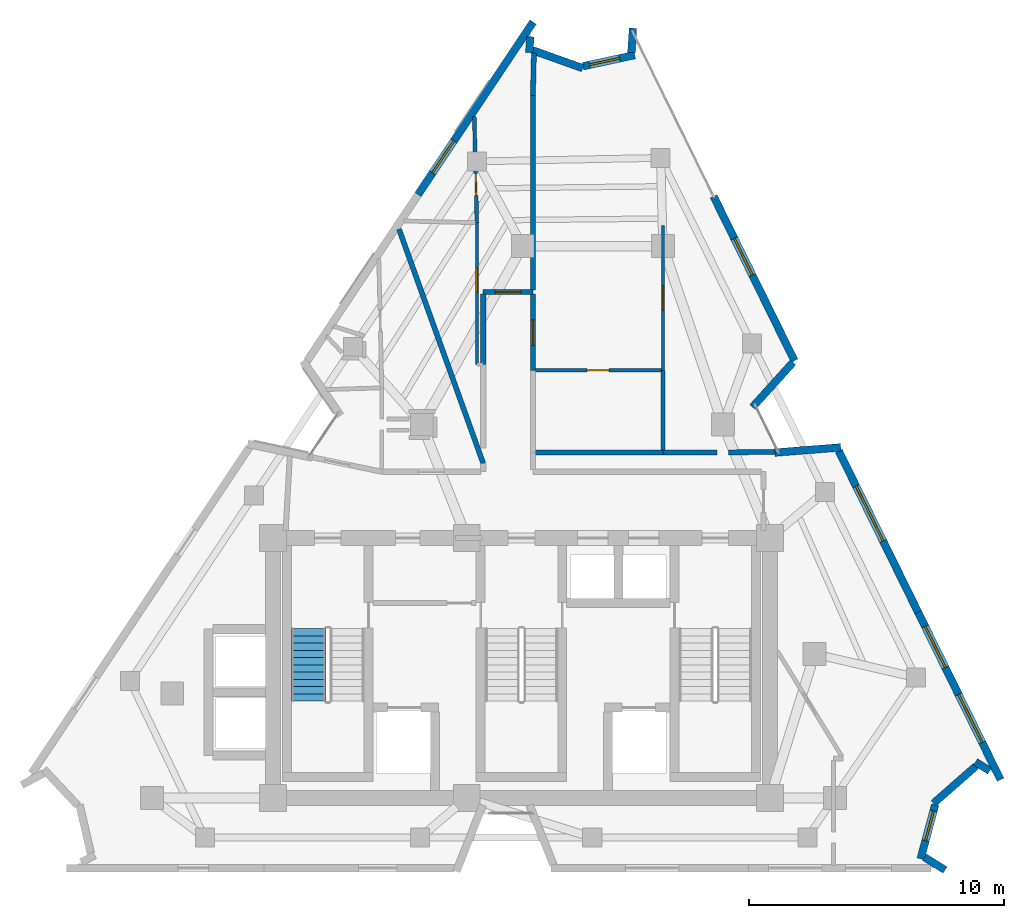
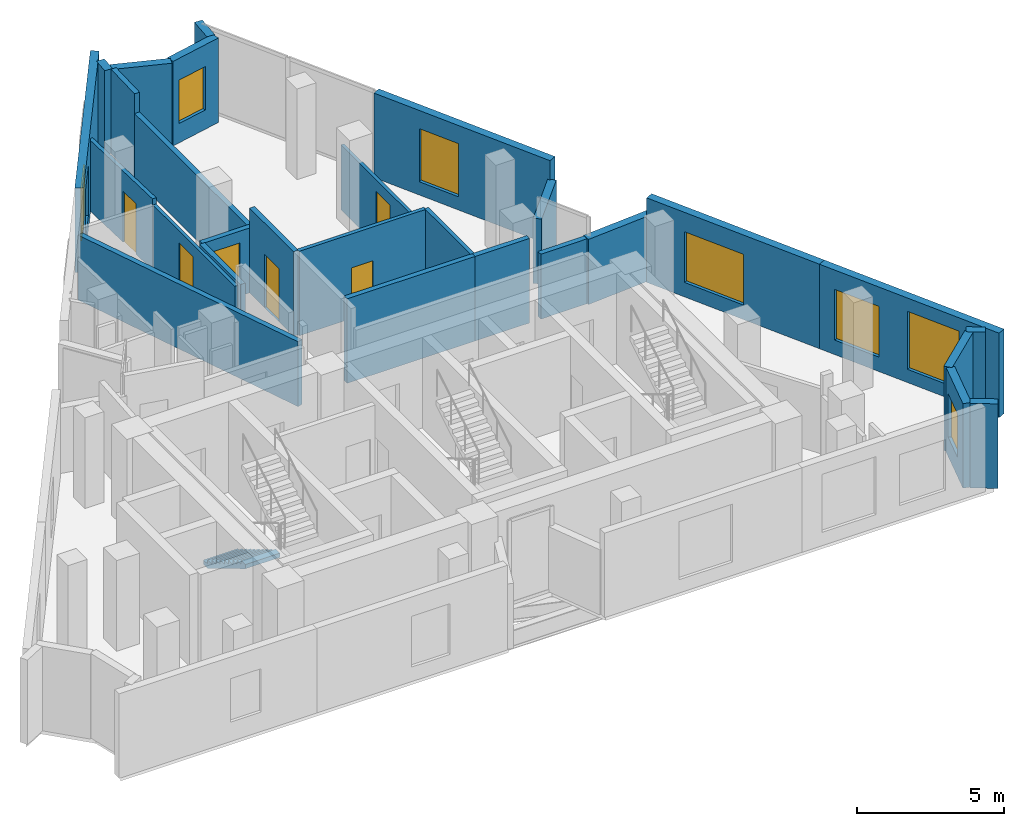
# One storey, part 8 of 10: 28 walls, 7 windows, 6 doors, 1 stair flight, 13 openings, 1 element without a shape of its own.
"""IFC4 building model written with IfcOpenShell, lengths in metres."""

import ifcopenshell
import ifcopenshell.guid

model = None  # the IFC model being written
_history = None  # IfcOwnerHistory: only IFC2X3 demands one
_inside = {}  # id of a spatial element -> (the spatial element, [elements in it])
_under = {}  # id of a project, library or spatial element -> (it, [spatial elements below it])
_declared = {}  # id of a project -> (the project, [libraries it declares])
_typed = {}  # id of a type object -> (the type object, [elements of that type])
_made_of = {}  # id of a material, layer set ... -> (it, [elements and type objects made of it])


def new_model(schema):
    """Start an empty IFC model of exactly this schema.

    Asked for "IFC4X3", IfcOpenShell would pick the latest addendum, in which some entities
    have other attributes; the version numbers below select the first issue.
    IFC2X3 requires an IfcOwnerHistory on every rooted entity: one is made here for all.
    """
    global model, _history
    if schema == "IFC4X3":
        model = ifcopenshell.file(schema_version=(4, 3, 0, 0))
    else:
        model = ifcopenshell.file(schema=schema)
    _inside.clear()
    _under.clear()
    _declared.clear()
    _typed.clear()
    _made_of.clear()
    _history = None
    if model.schema == "IFC2X3":
        org = make("IfcOrganization", Name="unknown")
        user = make(
            "IfcPersonAndOrganization",
            ThePerson=make("IfcPerson", FamilyName="unknown"),
            TheOrganization=org,
        )
        app = make(
            "IfcApplication",
            ApplicationDeveloper=org,
            Version="unknown",
            ApplicationFullName="unknown",
            ApplicationIdentifier="unknown",
        )
        _history = make(
            "IfcOwnerHistory",
            OwningUser=user,
            OwningApplication=app,
            ChangeAction="ADDED",
            CreationDate=0,
        )
    return model


def make(cls, **values):
    """One entity of the class cls with the attributes given. An attribute that is None is left unset."""
    return model.create_entity(
        cls, **{name: value for name, value in values.items() if value is not None}
    )


def rooted(cls, **values):
    """An entity with a GlobalId (a new one), such as an element, a storey or a relation."""
    return make(cls, GlobalId=ifcopenshell.guid.new(), OwnerHistory=_history, **values)


def si_unit(unit_type, name, prefix=None):
    """IfcSIUnit, for example si_unit("LENGTHUNIT", "METRE", prefix="MILLI")."""
    return make("IfcSIUnit", UnitType=unit_type, Prefix=prefix, Name=name)


def assignment(units):
    """IfcUnitAssignment: the units of a project."""
    return None if units is None else make("IfcUnitAssignment", Units=units)


def point(xyz):
    """IfcCartesianPoint."""
    return None if xyz is None else make("IfcCartesianPoint", Coordinates=xyz)


def direction(xyz):
    """IfcDirection."""
    return None if xyz is None else make("IfcDirection", DirectionRatios=xyz)


def frame(location, z_axis=None, x_axis=None):
    """IfcAxis2Placement3D, a coordinate frame: its origin and axes. An axis left out is left unset."""
    return make(
        "IfcAxis2Placement3D",
        Location=point(location),
        Axis=direction(z_axis),
        RefDirection=direction(x_axis),
    )


def frame_2d(location, x_axis=None):
    """IfcAxis2Placement2D, a coordinate frame in the plane: its origin and x axis."""
    return make(
        "IfcAxis2Placement2D", Location=point(location), RefDirection=direction(x_axis)
    )


def origin():
    """The frame at (0, 0, 0) with its axes left unset."""
    return frame((0.0, 0.0, 0.0))


def place(relative_to, where):
    """IfcLocalPlacement: puts the frame where relative to a parent placement (None: the world)."""
    return make(
        "IfcLocalPlacement", PlacementRelTo=relative_to, RelativePlacement=where
    )


def context(
    kind, dimensions, precision=None, world=None, true_north=None, identifier=None
):
    """IfcGeometricRepresentationContext, for example the 3D "Model" context."""
    return make(
        "IfcGeometricRepresentationContext",
        ContextIdentifier=identifier,
        ContextType=kind,
        CoordinateSpaceDimension=dimensions,
        Precision=precision,
        WorldCoordinateSystem=world,
        TrueNorth=true_north,
    )


def subcontext(parent, identifier, kind, view, scale=None):
    """IfcGeometricRepresentationSubContext, for example "Body" below "Model"."""
    return make(
        "IfcGeometricRepresentationSubContext",
        ContextIdentifier=identifier,
        ContextType=kind,
        ParentContext=parent,
        TargetScale=scale,
        TargetView=view,
    )


def project(units=None, contexts=None):
    """IfcProject with its units and contexts."""
    return rooted(
        "IfcProject",
        Name="project",
        RepresentationContexts=contexts,
        UnitsInContext=assignment(units),
    )


def spatial(cls, under=None, at=None, **own):
    """A site, building, storey or space (cls), placed at a placement, below another one or the project."""
    s = rooted(cls, ObjectPlacement=at, **own)
    if under is not None:
        _under.setdefault(under.id(), (under, []))[1].append(s)
    return s


def polyline(points):
    """IfcPolyline through the points."""
    return make("IfcPolyline", Points=[point(p) for p in points])


def profile(cls, at=None, kind="AREA", **sizes):
    """A parametric profile (cls). Its sizes go by their IFC names, for example OverallWidth=200.0."""
    return make(cls, ProfileType=kind, Position=at, **sizes)


def rectangle(**sizes):
    """IfcRectangleProfileDef."""
    return profile("IfcRectangleProfileDef", **sizes)


def outline(outer, holes=None, kind="AREA"):
    """IfcArbitraryClosedProfileDef: a profile drawn as a closed curve; with holes, ...WithVoids."""
    if holes is None:
        return make("IfcArbitraryClosedProfileDef", ProfileType=kind, OuterCurve=outer)
    return make(
        "IfcArbitraryProfileDefWithVoids",
        ProfileType=kind,
        OuterCurve=outer,
        InnerCurves=holes,
    )


def extrude(swept, where, along, depth):
    """IfcExtrudedAreaSolid: the profile swept, set in the frame where, extruded along a direction by depth."""
    return make(
        "IfcExtrudedAreaSolid",
        SweptArea=swept,
        Position=where,
        ExtrudedDirection=direction(along),
        Depth=depth,
    )


def shape(context_of_items, identifier, shape_type, items):
    """IfcShapeRepresentation: the items that make up one representation, for example the "Body"."""
    return make(
        "IfcShapeRepresentation",
        ContextOfItems=context_of_items,
        RepresentationIdentifier=identifier,
        RepresentationType=shape_type,
        Items=items,
    )


def material(Name=None, Category=None):
    """IfcMaterial."""
    return make("IfcMaterial", Name=Name, Category=Category)


def layer(
    of_material, thickness, ventilated=None, Name=None, Category=None, Priority=None
):
    """IfcMaterialLayer: one layer of a wall or slab, of a material (None: an air gap)."""
    return make(
        "IfcMaterialLayer",
        Material=of_material,
        LayerThickness=thickness,
        IsVentilated=ventilated,
        Name=Name,
        Category=Category,
        Priority=Priority,
    )


def layer_set(layers, Name=None):
    """IfcMaterialLayerSet."""
    return make("IfcMaterialLayerSet", MaterialLayers=layers, LayerSetName=Name)


def made_of(thing, what):
    """Note that an element or type object is made of a material, layer set ...; save() writes the relation."""
    if what is not None:
        _made_of.setdefault(what.id(), (what, []))[1].append(thing)
    return thing


def type_object(cls, material=None, **own):
    """A type object (cls), such as IfcWallType, which elements share."""
    return made_of(rooted(cls, **own), material)


def element(
    cls,
    number,
    at=None,
    inside=None,
    cuts=None,
    type_object=None,
    material=None,
    context=None,
    identifier="Body",
    shape_type=None,
    held_by="IfcProductDefinitionShape",
    body=None,
    shapes=None,
    **own,
):
    """One element of the class cls, such as IfcWall. Its Tag is "e" and its number.

    at: its placement. inside: the storey or other place that contains it. cuts: it is an
    opening in that element (IfcRelVoidsElement). A single representation is given by context,
    identifier, shape_type and body (its items); several are given by shapes. held_by: the class
    of the entity that holds the representations. save() writes the other relations.
    """
    e = rooted(cls, Tag="e%d" % number, ObjectPlacement=at, **own)
    if body is not None:
        shapes = [shape(context, identifier, shape_type, body)]
    if shapes is not None:
        e.Representation = make(held_by, Representations=shapes)
    if inside is not None:
        _inside.setdefault(inside.id(), (inside, []))[1].append(e)
    if cuts is not None:
        rooted(
            "IfcRelVoidsElement", RelatingBuildingElement=cuts, RelatedOpeningElement=e
        )
    if type_object is not None:
        _typed.setdefault(type_object.id(), (type_object, []))[1].append(e)
    return made_of(e, material)


def fill(opening, filler):
    """IfcRelFillsElement: the door or window that sits in an opening."""
    return rooted(
        "IfcRelFillsElement",
        RelatingOpeningElement=opening,
        RelatedBuildingElement=filler,
    )


def aggregate(whole, parts):
    """IfcRelAggregates: a whole, such as a stair, and the parts it consists of."""
    return rooted("IfcRelAggregates", RelatingObject=whole, RelatedObjects=parts)


def save(model, path):
    """Write the relations noted so far, then the file.

    IfcRelAggregates (storeys below a building ...), IfcRelContainedInSpatialStructure (elements
    in a storey), IfcRelDefinesByType, IfcRelAssociatesMaterial and IfcRelDeclares: one each for
    every whole, place, type object, material and project.
    """
    for whole, parts in _under.values():
        aggregate(whole, parts)
    for where, things in _inside.values():
        rooted(
            "IfcRelContainedInSpatialStructure",
            RelatedElements=things,
            RelatingStructure=where,
        )
    for kind, things in _typed.values():
        rooted("IfcRelDefinesByType", RelatedObjects=things, RelatingType=kind)
    for what, things in _made_of.values():
        rooted("IfcRelAssociatesMaterial", RelatedObjects=things, RelatingMaterial=what)
    for by, libraries in _declared.values():
        rooted("IfcRelDeclares", RelatingContext=by, RelatedDefinitions=libraries)
    model.write(path)


model = new_model("IFC4")

# Units and contexts
model_context = context("Model", 3, precision=1e-05, world=origin(), true_north=direction((0.0, 1.0)))
body_context = subcontext(model_context, "Body", "Model", "MODEL_VIEW")
ifc_project = project(units=[si_unit("LENGTHUNIT", "METRE"), si_unit("AREAUNIT", "SQUARE_METRE"), si_unit("VOLUMEUNIT", "CUBIC_METRE"), si_unit("PLANEANGLEUNIT", "RADIAN"), si_unit("MASSUNIT", "GRAM", prefix="KILO")], contexts=[model_context])

# Site, building, storey
site_placement = place(None, origin())
site = spatial("IfcSite", under=ifc_project, at=site_placement, CompositionType="ELEMENT")
building_placement = place(site_placement, origin())
building = spatial("IfcBuilding", under=site, at=building_placement, Name="Almagre Mirador Tower", CompositionType="ELEMENT")
storey_placement = place(building_placement, frame((0.0, 0.0, 278.25)))
storey = spatial("IfcBuildingStorey", under=building, at=storey_placement, Name="L72", CompositionType="ELEMENT", Elevation=278.25)

# Wall, opening, window
ifc_material_1 = material(Name="Precast concrete C50/60", Category="concrete")
ifc_layer_1 = layer(ifc_material_1, 0.300048828125)
ifc_layer_set_1 = layer_set([ifc_layer_1], Name="Precast concrete C50/60")
wall_type_1 = type_object("IfcWallType", Name="WAL-EXT-300", PredefinedType="SOLIDWALL", material=ifc_layer_set_1)
wall_1_placement = place(storey_placement, frame((33.241943359375, 28.2265625, 0.0), z_axis=(0.0, 0.0, 1.0), x_axis=(0.555212816766, 0.831708319123, 0.0)))
wall_1 = element("IfcWall", 1, at=wall_1_placement, inside=storey, type_object=wall_type_1, Name="L72 expressed almagre precast frame wall 04", PredefinedType="SOLIDWALL", context=body_context, shape_type="SweptSolid", body=[
    extrude(rectangle(XDim=8.13134765625, YDim=0.300048828125, at=frame_2d((4.065673828125, 0.0))), origin(), (0.0, 0.0, 1.0), 3.5),
])
opening_1_placement = place(wall_1_placement, frame((1.02490234375, 0.0, 0.60009765625)))
opening_1 = element("IfcOpeningElement", 2, at=opening_1_placement, cuts=wall_1, Name="Opening WN-03", PredefinedType="OPENING", context=body_context, shape_type="SweptSolid", body=[
    extrude(rectangle(XDim=1.5, YDim=2.10009765625, at=frame_2d((0.75, 1.050048828125))), frame((0.0, 0.159902, 0.0), z_axis=(0.0, -1.0, 0.0), x_axis=(1.0, 0.0, 0.0)), (0.0, 0.0, 1.0), 0.320049),
])
ifc_material_2 = material(Name="Dark solar-control laminated hurricane glass", Category="glass")
window_type_1 = type_object("IfcWindowType", Name="WIN-1500X2100", PartitioningType="DOUBLE_PANEL_VERTICAL", PredefinedType="WINDOW", material=ifc_material_2)
window_1_placement = place(opening_1_placement, origin())
window_1 = element("IfcWindow", 3, at=window_1_placement, inside=storey, type_object=window_type_1, Name="L72 recessed hurricane window L72-UG-BT", OverallHeight=2.10009765625, OverallWidth=1.5, PartitioningType="SINGLE_PANEL", PredefinedType="WINDOW", context=body_context, shape_type="SweptSolid", body=[
    extrude(rectangle(XDim=1.5, YDim=2.10009765625, at=frame_2d((0.75, 1.050048828125))), frame((0.0, 0.030029296875, 0.0), z_axis=(0.0, -1.0, 0.0), x_axis=(1.0, 0.0, 0.0)), (0.0, 0.0, 1.0), 0.06005859375),
])
fill(opening_1, window_1)

# Walls
wall_2_placement = place(storey_placement, frame((37.649169921875, 34.4189453125, 0.0), z_axis=(0.0, 0.0, 1.0), x_axis=(-0.065490172125, -0.997853214333, 0.0)))
element("IfcWall", 4, at=wall_2_placement, inside=storey, type_object=wall_type_1, Name="L72 expressed almagre precast frame wall 05", PredefinedType="SOLIDWALL", context=body_context, shape_type="SweptSolid", body=[
    extrude(rectangle(XDim=0.630126953125, YDim=0.300048828125, at=frame_2d((0.31494140625, 0.0))), origin(), (0.0, 0.0, 1.0), 3.5),
])
wall_3_placement = place(storey_placement, frame((37.739501953125, 33.88623046875, 0.0), z_axis=(0.0, 0.0, 1.0), x_axis=(0.941667785429, -0.336543878097, 0.0)))
element("IfcWall", 5, at=wall_3_placement, inside=storey, type_object=wall_type_1, Name="L72 expressed almagre precast frame wall 06", PredefinedType="SOLIDWALL", context=body_context, shape_type="SweptSolid", body=[
    extrude(rectangle(XDim=2.087158203125, YDim=0.300048828125, at=frame_2d((1.04345703125, 0.0))), origin(), (0.0, 0.0, 1.0), 3.5),
])

# Wall, opening, window
wall_4_placement = place(storey_placement, frame((39.714599609375, 33.261474609375, 0.0), z_axis=(0.0, 0.0, 1.0), x_axis=(0.977601927603, 0.210462517201, 0.0)))
wall_4 = element("IfcWall", 6, at=wall_4_placement, inside=storey, type_object=wall_type_1, Name="L72 expressed almagre precast frame wall 07", PredefinedType="SOLIDWALL", context=body_context, shape_type="SweptSolid", body=[
    extrude(rectangle(XDim=2.07177734375, YDim=0.300048828125, at=frame_2d((1.035888671875, 0.0))), origin(), (0.0, 0.0, 1.0), 3.5),
])
opening_2_placement = place(wall_4_placement, frame((0.264892578125, 0.0, 0.800048828125)))
opening_2 = element("IfcOpeningElement", 7, at=opening_2_placement, cuts=wall_4, Name="Opening WN-04", PredefinedType="OPENING", context=body_context, shape_type="SweptSolid", body=[
    extrude(rectangle(XDim=1.199951171875, YDim=1.800048828125, at=frame_2d((0.60009765625, 0.89990234375))), frame((0.0, 0.159902, 0.0), z_axis=(0.0, -1.0, 0.0), x_axis=(1.0, 0.0, 0.0)), (0.0, 0.0, 1.0), 0.320049),
])
ifc_material_3 = material(Name="Dark solar-control laminated hurricane glass", Category="glass")
window_type_2 = type_object("IfcWindowType", Name="WIN-1200X1800", PartitioningType="SINGLE_PANEL", PredefinedType="WINDOW", material=ifc_material_3)
window_2_placement = place(opening_2_placement, origin())
window_2 = element("IfcWindow", 8, at=window_2_placement, inside=storey, type_object=window_type_2, Name="L72 recessed hurricane window L72-RST-J", OverallHeight=1.800048828125, OverallWidth=1.199951171875, PartitioningType="SINGLE_PANEL", PredefinedType="WINDOW", context=body_context, shape_type="SweptSolid", body=[
    extrude(rectangle(XDim=1.199951171875, YDim=1.800048828125, at=frame_2d((0.60009765625, 0.89990234375))), frame((0.0, 0.030029296875, 0.0), z_axis=(0.0, -1.0, 0.0), x_axis=(1.0, 0.0, 0.0)), (0.0, 0.0, 1.0), 0.06005859375),
])
fill(opening_2, window_2)

# Wall
wall_5_placement = place(storey_placement, frame((41.611083984375, 33.792724609375, 0.0), z_axis=(0.0, 0.0, 1.0), x_axis=(0.065860770899, 0.997828822422, 0.0)))
element("IfcWall", 9, at=wall_5_placement, inside=storey, type_object=wall_type_1, Name="L72 expressed almagre precast frame wall 08", PredefinedType="SOLIDWALL", context=body_context, shape_type="SweptSolid", body=[
    extrude(rectangle(XDim=0.960205078125, YDim=0.300048828125, at=frame_2d((0.47998046875, 0.0))), origin(), (0.0, 0.0, 1.0), 3.5),
])

# Wall, opening, window
wall_6_placement = place(storey_placement, frame((44.83837890625, 28.157958984375, 0.0), z_axis=(0.0, 0.0, 1.0), x_axis=(0.44132368898, -0.897347982416, 0.0)))
wall_6 = element("IfcWall", 10, at=wall_6_placement, inside=storey, type_object=wall_type_1, Name="L72 expressed almagre precast frame wall 09", PredefinedType="SOLIDWALL", context=body_context, shape_type="SweptSolid", body=[
    extrude(rectangle(XDim=7.191162109375, YDim=0.300048828125, at=frame_2d((3.595703125, 0.0))), origin(), (0.0, 0.0, 1.0), 3.5),
])
opening_3_placement = place(wall_6_placement, frame((1.85009765625, 0.0, 0.550048828125)))
opening_3 = element("IfcOpeningElement", 11, at=opening_3_placement, cuts=wall_6, Name="Opening WN-06", PredefinedType="OPENING", context=body_context, shape_type="SweptSolid", body=[
    extrude(rectangle(XDim=1.60009765625, YDim=2.199951171875, at=frame_2d((0.800048828125, 1.10009765625))), frame((0.0, 0.159902, 0.0), z_axis=(0.0, -1.0, 0.0), x_axis=(1.0, 0.0, 0.0)), (0.0, 0.0, 1.0), 0.320049),
])
ifc_material_4 = material(Name="Dark solar-control laminated hurricane glass", Category="glass")
window_type_3 = type_object("IfcWindowType", Name="WIN-1600X2200", PartitioningType="DOUBLE_PANEL_VERTICAL", PredefinedType="WINDOW", material=ifc_material_4)
window_3_placement = place(opening_3_placement, origin())
window_3 = element("IfcWindow", 12, at=window_3_placement, inside=storey, type_object=window_type_3, Name="L72 recessed hurricane window L72-RST-J", OverallHeight=2.199951171875, OverallWidth=1.60009765625, PartitioningType="SINGLE_PANEL", PredefinedType="WINDOW", context=body_context, shape_type="SweptSolid", body=[
    extrude(rectangle(XDim=1.60009765625, YDim=2.199951171875, at=frame_2d((0.800048828125, 1.10009765625))), frame((0.0, 0.030029296875, 0.0), z_axis=(0.0, -1.0, 0.0), x_axis=(1.0, 0.0, 0.0)), (0.0, 0.0, 1.0), 0.06005859375),
])
fill(opening_3, window_3)

# Walls
wall_7_placement = place(storey_placement, frame((47.95166015625, 21.63818359375, 0.0), z_axis=(0.0, 0.0, 1.0), x_axis=(-0.670788898496, -0.741648335571, 0.0)))
element("IfcWall", 13, at=wall_7_placement, inside=storey, type_object=wall_type_1, Name="L72 expressed almagre precast frame wall 10", PredefinedType="SOLIDWALL", context=body_context, shape_type="SweptSolid", body=[
    extrude(rectangle(XDim=2.363525390625, YDim=0.300048828125, at=frame_2d((1.181640625, 0.0))), origin(), (0.0, 0.0, 1.0), 2.696044921875),
])
wall_8_placement = place(storey_placement, frame((47.242431640625, 18.10205078125, 0.0), z_axis=(0.0, 0.0, 1.0), x_axis=(0.996905336601, 0.078611385028, 0.0)))
element("IfcWall", 14, at=wall_8_placement, inside=storey, type_object=wall_type_1, Name="L72 expressed almagre precast frame wall 11", PredefinedType="SOLIDWALL", context=body_context, shape_type="SweptSolid", body=[
    extrude(rectangle(XDim=2.59326171875, YDim=0.300048828125, at=frame_2d((1.296630859375, 0.0))), origin(), (0.0, 0.0, 1.0), 2.696044921875),
])

# Wall, opening, window
wall_9_placement = place(storey_placement, frame((49.749755859375, 18.169189453125, 0.0), z_axis=(0.0, 0.0, 1.0), x_axis=(0.441331539311, -0.897344121511, 0.0)))
wall_9 = element("IfcWall", 15, at=wall_9_placement, inside=storey, type_object=wall_type_1, Name="L72 expressed almagre precast frame wall 12", PredefinedType="SOLIDWALL", context=body_context, shape_type="SweptSolid", body=[
    extrude(rectangle(XDim=7.051025390625, YDim=0.300048828125, at=frame_2d((3.525390625, 0.0))), origin(), (0.0, 0.0, 1.0), 3.5),
])
opening_4_placement = place(wall_9_placement, frame((1.544921875, 0.0, 0.60009765625)))
opening_4 = element("IfcOpeningElement", 16, at=opening_4_placement, cuts=wall_9, Name="Opening WN-02", PredefinedType="OPENING", context=body_context, shape_type="SweptSolid", body=[
    extrude(rectangle(XDim=2.39990234375, YDim=2.10009765625, at=frame_2d((1.199951171875, 1.050048828125))), frame((0.0, 0.159902, 0.0), z_axis=(0.0, -1.0, 0.0), x_axis=(1.0, 0.0, 0.0)), (0.0, 0.0, 1.0), 0.320049),
])
ifc_material_5 = material(Name="Dark solar-control laminated hurricane glass", Category="glass")
window_type_4 = type_object("IfcWindowType", Name="WIN-2400X2100", PartitioningType="TRIPLE_PANEL_VERTICAL", PredefinedType="WINDOW", material=ifc_material_5)
window_4_placement = place(opening_4_placement, origin())
window_4 = element("IfcWindow", 17, at=window_4_placement, inside=storey, type_object=window_type_4, Name="L72 recessed hurricane window L72-RST-E", OverallHeight=2.10009765625, OverallWidth=2.39990234375, PartitioningType="SINGLE_PANEL", PredefinedType="WINDOW", context=body_context, shape_type="SweptSolid", body=[
    extrude(rectangle(XDim=2.39990234375, YDim=2.10009765625, at=frame_2d((1.199951171875, 1.050048828125))), frame((0.0, 0.030029296875, 0.0), z_axis=(0.0, -1.0, 0.0), x_axis=(1.0, 0.0, 0.0)), (0.0, 0.0, 1.0), 0.06005859375),
])
fill(opening_4, window_4)

# Wall, openings, windows
wall_10_placement = place(storey_placement, frame((52.861572265625, 11.842041015625, 0.0), z_axis=(0.0, 0.0, 1.0), x_axis=(0.441289322052, -0.897364883558, 0.0)))
wall_10 = element("IfcWall", 18, at=wall_10_placement, inside=storey, type_object=wall_type_1, Name="L72 expressed almagre precast frame wall 13", PredefinedType="SOLIDWALL", context=body_context, shape_type="SweptSolid", body=[
    extrude(rectangle(XDim=7.3310546875, YDim=0.300048828125, at=frame_2d((3.66552734375, 0.0))), origin(), (0.0, 0.0, 1.0), 3.5),
])
opening_5_placement = place(wall_10_placement, frame((0.625, 0.0, 0.60009765625)))
opening_5 = element("IfcOpeningElement", 19, at=opening_5_placement, cuts=wall_10, Name="Opening WN-01", PredefinedType="OPENING", context=body_context, shape_type="SweptSolid", body=[
    extrude(rectangle(XDim=1.800048828125, YDim=2.10009765625, at=frame_2d((0.89990234375, 1.050048828125))), frame((0.0, 0.159902, 0.0), z_axis=(0.0, -1.0, 0.0), x_axis=(1.0, 0.0, 0.0)), (0.0, 0.0, 1.0), 0.320049),
])
opening_6_placement = place(wall_10_placement, frame((3.60009765625, 0.0, 0.550048828125)))
opening_6 = element("IfcOpeningElement", 20, at=opening_6_placement, cuts=wall_10, Name="Opening WN-05", PredefinedType="OPENING", context=body_context, shape_type="SweptSolid", body=[
    extrude(rectangle(XDim=2.10009765625, YDim=2.39990234375, at=frame_2d((1.050048828125, 1.199951171875))), frame((0.0, 0.159902, 0.0), z_axis=(0.0, -1.0, 0.0), x_axis=(1.0, 0.0, 0.0)), (0.0, 0.0, 1.0), 0.320049),
])
ifc_material_6 = material(Name="Dark solar-control laminated hurricane glass", Category="glass")
window_type_5 = type_object("IfcWindowType", Name="WIN-1800X2100", PartitioningType="DOUBLE_PANEL_VERTICAL", PredefinedType="WINDOW", material=ifc_material_6)
window_5_placement = place(opening_5_placement, origin())
window_5 = element("IfcWindow", 21, at=window_5_placement, inside=storey, type_object=window_type_5, Name="L72 recessed hurricane window L72-UC-ST", OverallHeight=2.10009765625, OverallWidth=1.800048828125, PartitioningType="SINGLE_PANEL", PredefinedType="WINDOW", context=body_context, shape_type="SweptSolid", body=[
    extrude(rectangle(XDim=1.800048828125, YDim=2.10009765625, at=frame_2d((0.89990234375, 1.050048828125))), frame((0.0, 0.030029296875, 0.0), z_axis=(0.0, -1.0, 0.0), x_axis=(1.0, 0.0, 0.0)), (0.0, 0.0, 1.0), 0.06005859375),
])
fill(opening_5, window_5)
ifc_material_7 = material(Name="Dark solar-control laminated hurricane glass", Category="glass")
window_type_6 = type_object("IfcWindowType", Name="WIN-2100X2400", PartitioningType="DOUBLE_PANEL_VERTICAL", PredefinedType="WINDOW", material=ifc_material_7)
window_6_placement = place(opening_6_placement, origin())
window_6 = element("IfcWindow", 22, at=window_6_placement, inside=storey, type_object=window_type_6, Name="L72 recessed hurricane window L72-UC-KT", OverallHeight=2.39990234375, OverallWidth=2.10009765625, PartitioningType="SINGLE_PANEL", PredefinedType="WINDOW", context=body_context, shape_type="SweptSolid", body=[
    extrude(rectangle(XDim=2.10009765625, YDim=2.39990234375, at=frame_2d((1.050048828125, 1.199951171875))), frame((0.0, 0.030029296875, 0.0), z_axis=(0.0, -1.0, 0.0), x_axis=(1.0, 0.0, 0.0)), (0.0, 0.0, 1.0), 0.06005859375),
])
fill(opening_6, window_6)

# Walls
wall_11_placement = place(storey_placement, frame((55.670166015625, 5.616455078125, 0.0), z_axis=(0.0, 0.0, 1.0), x_axis=(-0.848521273644, 0.529161268588, 0.0)))
element("IfcWall", 23, at=wall_11_placement, inside=storey, type_object=wall_type_1, Name="L72 expressed almagre precast frame wall 14", PredefinedType="SOLIDWALL", context=body_context, shape_type="SweptSolid", body=[
    extrude(rectangle(XDim=0.655029296875, YDim=0.300048828125, at=frame_2d((0.32763671875, 0.0))), origin(), (0.0, 0.0, 1.0), 3.5),
])
wall_12_placement = place(storey_placement, frame((55.13525390625, 5.80322265625, 0.0), z_axis=(0.0, 0.0, 1.0), x_axis=(-0.751744762281, -0.659454177622, 0.0)))
element("IfcWall", 24, at=wall_12_placement, inside=storey, type_object=wall_type_1, Name="L72 expressed almagre precast frame wall 15", PredefinedType="SOLIDWALL", context=body_context, shape_type="SweptSolid", body=[
    extrude(rectangle(XDim=2.219482421875, YDim=0.300048828125, at=frame_2d((1.10986328125, 0.0))), origin(), (0.0, 0.0, 1.0), 3.5),
])

# Wall, opening, window
wall_13_placement = place(storey_placement, frame((53.532958984375, 4.287109375, 0.0), z_axis=(0.0, 0.0, 1.0), x_axis=(-0.259818176463, -0.965657555855, 0.0)))
wall_13 = element("IfcWall", 25, at=wall_13_placement, inside=storey, type_object=wall_type_1, Name="L72 expressed almagre precast frame wall 16", PredefinedType="SOLIDWALL", context=body_context, shape_type="SweptSolid", body=[
    extrude(rectangle(XDim=2.19873046875, YDim=0.300048828125, at=frame_2d((1.099365234375, 0.0))), origin(), (0.0, 0.0, 1.0), 3.5),
])
opening_7_placement = place(wall_13_placement, frame((0.260009765625, 0.0, 0.800048828125)))
opening_7 = element("IfcOpeningElement", 26, at=opening_7_placement, cuts=wall_13, Name="Opening WN-04", PredefinedType="OPENING", context=body_context, shape_type="SweptSolid", body=[
    extrude(rectangle(XDim=1.199951171875, YDim=1.800048828125, at=frame_2d((0.60009765625, 0.89990234375))), frame((0.0, 0.159902, 0.0), z_axis=(0.0, -1.0, 0.0), x_axis=(1.0, 0.0, 0.0)), (0.0, 0.0, 1.0), 0.320049),
])
window_7_placement = place(opening_7_placement, origin())
window_7 = element("IfcWindow", 27, at=window_7_placement, inside=storey, type_object=window_type_2, Name="L72 recessed hurricane window L72-UC-BT", OverallHeight=1.800048828125, OverallWidth=1.199951171875, PartitioningType="SINGLE_PANEL", PredefinedType="WINDOW", context=body_context, shape_type="SweptSolid", body=[
    extrude(rectangle(XDim=1.199951171875, YDim=1.800048828125, at=frame_2d((0.60009765625, 0.89990234375))), frame((0.0, 0.030029296875, 0.0), z_axis=(0.0, -1.0, 0.0), x_axis=(1.0, 0.0, 0.0)), (0.0, 0.0, 1.0), 0.06005859375),
])
fill(opening_7, window_7)

# Wall
wall_14_placement = place(storey_placement, frame((53.1083984375, 2.23046875, 0.0), z_axis=(0.0, 0.0, 1.0), x_axis=(0.849031111495, -0.528342854322, 0.0)))
element("IfcWall", 28, at=wall_14_placement, inside=storey, type_object=wall_type_1, Name="L72 expressed almagre precast frame wall 17", PredefinedType="SOLIDWALL", context=body_context, shape_type="SweptSolid", body=[
    extrude(rectangle(XDim=0.95458984375, YDim=0.300048828125, at=frame_2d((0.477294921875, 0.0))), origin(), (0.0, 0.0, 1.0), 3.5),
])

# Wall, opening, door
ifc_material_8 = material(Name="Gypsum acoustic stud partition", Category="other")
ifc_layer_2 = layer(ifc_material_8, 0.125)
ifc_layer_set_2 = layer_set([ifc_layer_2], Name="Gypsum acoustic stud partition")
wall_type_2 = type_object("IfcWallType", Name="WAL-PRT-125-UTL", PredefinedType="PARTITIONING", material=ifc_layer_set_2)
wall_15_placement = place(storey_placement, frame((35.550048828125, 27.1201171875, 0.0), z_axis=(0.0, 0.0, 1.0), x_axis=(0.0, -1.0, 0.0)))
wall_15 = element("IfcWall", 29, at=wall_15_placement, inside=storey, type_object=wall_type_2, Name="L72 interior partition 043", PredefinedType="PARTITIONING", context=body_context, shape_type="SweptSolid", body=[
    extrude(rectangle(XDim=5.56005859375, YDim=0.125, at=frame_2d((2.780029296875, 0.0))), origin(), (0.0, 0.0, 1.0), 2.68505859375),
])
opening_8_placement = place(wall_15_placement, frame((1.7783203125, 0.0, 0.0)))
opening_8 = element("IfcOpeningElement", 30, at=opening_8_placement, cuts=wall_15, Name="Opening UD-01", PredefinedType="OPENING", context=body_context, shape_type="SweptSolid", body=[
    extrude(rectangle(XDim=0.949951171875, YDim=2.199951171875, at=frame_2d((0.47509765625, 1.10009765625))), frame((0.0, 0.0725, 0.0), z_axis=(0.0, -1.0, 0.0), x_axis=(1.0, 0.0, 0.0)), (0.0, 0.0, 1.0), 0.145),
])
ifc_material_9 = material(Name="Solid American walnut timber", Category="wood")
door_type_1 = type_object("IfcDoorType", Name="DOR-UNR-950X2200", OperationType="NOTDEFINED", PredefinedType="DOOR", material=ifc_material_9)
door_1_placement = place(opening_8_placement, origin())
door_1 = element("IfcDoor", 31, at=door_1_placement, inside=storey, type_object=door_type_1, Name="DR-2175 L72 interior door L72-UG-ST to L72-UG-KT", OperationType="SINGLE_SWING_RIGHT", OverallHeight=2.199951171875, OverallWidth=0.949951171875, PredefinedType="DOOR", context=body_context, shape_type="SweptSolid", body=[
    extrude(rectangle(XDim=0.949951171875, YDim=2.199951171875, at=frame_2d((0.47509765625, 1.10009765625))), frame((0.0, 0.02490234375, 0.0), z_axis=(0.0, -1.0, 0.0), x_axis=(1.0, 0.0, 0.0)), (0.0, 0.0, 1.0), 0.050048828125),
])
fill(opening_8, door_1)

wall_16_placement = place(storey_placement, frame((42.85009765625, 21.330078125, 0.0), z_axis=(0.0, 0.0, 1.0), x_axis=(0.0, 1.0, 0.0)))
wall_16 = element("IfcWall", 32, at=wall_16_placement, inside=storey, type_object=wall_type_2, Name="L72 interior partition 049", PredefinedType="PARTITIONING", context=body_context, shape_type="SweptSolid", body=[
    extrude(rectangle(XDim=5.679931640625, YDim=0.125, at=frame_2d((2.83984375, 0.0))), origin(), (0.0, 0.0, 1.0), 2.68505859375),
])
opening_9_placement = place(wall_16_placement, frame((2.364990234375, 0.0, 0.0)))
opening_9 = element("IfcOpeningElement", 33, at=opening_9_placement, cuts=wall_16, Name="Opening UD-01", PredefinedType="OPENING", context=body_context, shape_type="SweptSolid", body=[
    extrude(rectangle(XDim=0.949951171875, YDim=2.199951171875, at=frame_2d((0.47509765625, 1.10009765625))), frame((0.0, 0.0725, 0.0), z_axis=(0.0, -1.0, 0.0), x_axis=(1.0, 0.0, 0.0)), (0.0, 0.0, 1.0), 0.145),
])
door_2_placement = place(opening_9_placement, origin())
door_2 = element("IfcDoor", 34, at=door_2_placement, inside=storey, type_object=door_type_1, Name="DR-2178 L72 interior door L72-UH-ST to L72-UH-KT", OperationType="SINGLE_SWING_LEFT", OverallHeight=2.199951171875, OverallWidth=0.949951171875, PredefinedType="DOOR", context=body_context, shape_type="SweptSolid", body=[
    extrude(rectangle(XDim=0.949951171875, YDim=2.199951171875, at=frame_2d((0.47509765625, 1.10009765625))), frame((0.0, 0.02490234375, 0.0), z_axis=(0.0, -1.0, 0.0), x_axis=(1.0, 0.0, 0.0)), (0.0, 0.0, 1.0), 0.050048828125),
])
fill(opening_9, door_2)

ifc_material_10 = material(Name="Gypsum acoustic stud partition", Category="other")
ifc_layer_3 = layer(ifc_material_10, 0.14990234375)
ifc_layer_set_3 = layer_set([ifc_layer_3], Name="Gypsum acoustic stud partition")
wall_type_3 = type_object("IfcWallType", Name="WAL-PRT-150-STD", PredefinedType="PARTITIONING", material=ifc_layer_set_3)
wall_17_placement = place(storey_placement, frame((35.450927734375, 31.281005859375, 0.0), z_axis=(0.0, 0.0, 1.0), x_axis=(0.023815340496, -0.999716374557, 0.0)))
wall_17 = element("IfcWall", 35, at=wall_17_placement, inside=storey, type_object=wall_type_3, Name="L72 interior partition 045", PredefinedType="PARTITIONING", context=body_context, shape_type="SweptSolid", body=[
    extrude(rectangle(XDim=4.162109375, YDim=0.14990234375, at=frame_2d((2.0810546875, 0.0))), origin(), (0.0, 0.0, 1.0), 2.93701171875),
])
opening_10_placement = place(wall_17_placement, frame((2.238037109375, 0.0, 0.0)))
opening_10 = element("IfcOpeningElement", 36, at=opening_10_placement, cuts=wall_17, Name="Opening UD-04", PredefinedType="OPENING", context=body_context, shape_type="SweptSolid", body=[
    extrude(rectangle(XDim=0.85009765625, YDim=2.10009765625, at=frame_2d((0.425048828125, 1.050048828125))), frame((0.0, 0.084951, 0.0), z_axis=(0.0, -1.0, 0.0), x_axis=(1.0, 0.0, 0.0)), (0.0, 0.0, 1.0), 0.169902),
])
ifc_material_11 = material(Name="Moisture-resistant oak timber", Category="wood")
door_type_2 = type_object("IfcDoorType", Name="DOR-UNR-850X2100", OperationType="NOTDEFINED", PredefinedType="DOOR", material=ifc_material_11)
door_3_placement = place(opening_10_placement, origin())
door_3 = element("IfcDoor", 37, at=door_3_placement, inside=storey, type_object=door_type_2, Name="DR-2176 L72 interior door L72-UG-ST to L72-UG-BT", OperationType="SINGLE_SWING_LEFT", OverallHeight=2.10009765625, OverallWidth=0.85009765625, PredefinedType="DOOR", context=body_context, shape_type="SweptSolid", body=[
    extrude(rectangle(XDim=0.85009765625, YDim=2.10009765625, at=frame_2d((0.425048828125, 1.050048828125))), frame((0.0, 0.02490234375, 0.0), z_axis=(0.0, -1.0, 0.0), x_axis=(1.0, 0.0, 0.0)), (0.0, 0.0, 1.0), 0.050048828125),
])
fill(opening_10, door_3)

wall_18_placement = place(storey_placement, frame((37.8349609375, 21.330078125, 0.0), z_axis=(0.0, 0.0, 1.0), x_axis=(1.0, 0.0, 0.0)))
wall_18 = element("IfcWall", 38, at=wall_18_placement, inside=storey, type_object=wall_type_3, Name="L72 interior partition 050", PredefinedType="PARTITIONING", context=body_context, shape_type="SweptSolid", body=[
    extrude(rectangle(XDim=4.967529296875, YDim=0.14990234375, at=frame_2d((2.48388671875, 0.0))), origin(), (0.0, 0.0, 1.0), 3.5),
])
opening_11_placement = place(wall_18_placement, frame((2.0400390625, 0.0, 0.0)))
opening_11 = element("IfcOpeningElement", 39, at=opening_11_placement, cuts=wall_18, Name="Opening UD-04", PredefinedType="OPENING", context=body_context, shape_type="SweptSolid", body=[
    extrude(rectangle(XDim=0.85009765625, YDim=2.10009765625, at=frame_2d((0.425048828125, 1.050048828125))), frame((0.0, 0.084951, 0.0), z_axis=(0.0, -1.0, 0.0), x_axis=(1.0, 0.0, 0.0)), (0.0, 0.0, 1.0), 0.169902),
])
door_4_placement = place(opening_11_placement, origin())
door_4 = element("IfcDoor", 40, at=door_4_placement, inside=storey, type_object=door_type_2, Name="DR-2179 L72 interior door L72-UH-ST to L72-UH-BT", OperationType="SINGLE_SWING_RIGHT", OverallHeight=2.10009765625, OverallWidth=0.85009765625, PredefinedType="DOOR", context=body_context, shape_type="SweptSolid", body=[
    extrude(rectangle(XDim=0.85009765625, YDim=2.10009765625, at=frame_2d((0.425048828125, 1.050048828125))), frame((0.0, 0.02490234375, 0.0), z_axis=(0.0, -1.0, 0.0), x_axis=(1.0, 0.0, 0.0)), (0.0, 0.0, 1.0), 0.050048828125),
])
fill(opening_11, door_4)

# Wall
wall_19_placement = place(storey_placement, frame((42.85009765625, 21.3173828125, 0.0), z_axis=(0.0, 0.0, 1.0), x_axis=(0.0, -1.0, 0.0)))
element("IfcWall", 41, at=wall_19_placement, inside=storey, type_object=wall_type_3, Name="L72 interior partition 052", PredefinedType="PARTITIONING", context=body_context, shape_type="SweptSolid", body=[
    extrude(rectangle(XDim=3.122314453125, YDim=0.14990234375, at=frame_2d((1.56103515625, 0.0))), origin(), (0.0, 0.0, 1.0), 3.5),
])

# Wall, opening, door
ifc_material_12 = material(Name="Gypsum acoustic stud partition", Category="other")
ifc_layer_4 = layer(ifc_material_12, 0.199951171875)
ifc_layer_set_4 = layer_set([ifc_layer_4], Name="Gypsum acoustic stud partition")
wall_type_4 = type_object("IfcWallType", Name="WAL-PRT-200-EI60", PredefinedType="PARTITIONING", material=ifc_layer_set_4)
wall_20_placement = place(storey_placement, frame((37.75, 24.39990234375, 0.0), z_axis=(0.0, 0.0, 1.0), x_axis=(-1.0, 0.0, 0.0)))
wall_20 = element("IfcWall", 42, at=wall_20_placement, inside=storey, type_object=wall_type_4, Name="L72 interior partition 009", PredefinedType="PARTITIONING", context=body_context, shape_type="SweptSolid", body=[
    extrude(rectangle(XDim=1.949951171875, YDim=0.199951171875, at=frame_2d((0.97509765625, 0.0))), origin(), (0.0, 0.0, 1.0), 2.68505859375),
])
opening_12_placement = place(wall_20_placement, frame((0.47509765625, 0.0, 0.0)))
opening_12 = element("IfcOpeningElement", 43, at=opening_12_placement, cuts=wall_20, Name="Opening ID-01", PredefinedType="OPENING", context=body_context, shape_type="SweptSolid", body=[
    extrude(rectangle(XDim=1.0, YDim=2.199951171875, at=frame_2d((0.5, 1.10009765625))), frame((0.0, 0.110098, 0.0), z_axis=(0.0, -1.0, 0.0), x_axis=(1.0, 0.0, 0.0)), (0.0, 0.0, 1.0), 0.219951),
])
ifc_material_13 = material(Name="Fire-rated walnut timber", Category="wood")
door_type_3 = type_object("IfcDoorType", Name="DOR-FD60-1000X2200", OperationType="NOTDEFINED", PredefinedType="DOOR", material=ifc_material_13)
door_5_placement = place(opening_12_placement, origin())
door_5 = element("IfcDoor", 44, at=door_5_placement, inside=storey, type_object=door_type_3, Name="DR-2174 L72 interior door L72-RCOR to L72-UG-ST", OperationType="SINGLE_SWING_LEFT", OverallHeight=2.199951171875, OverallWidth=1.0, PredefinedType="DOOR", context=body_context, shape_type="SweptSolid", body=[
    extrude(rectangle(XDim=1.0, YDim=2.199951171875, at=frame_2d((0.5, 1.10009765625))), frame((0.0, 0.02490234375, 0.0), z_axis=(0.0, -1.0, 0.0), x_axis=(1.0, 0.0, 0.0)), (0.0, 0.0, 1.0), 0.050048828125),
])
fill(opening_12, door_5)

# Wall
wall_21_placement = place(storey_placement, frame((35.800048828125, 24.31494140625, 0.0), z_axis=(0.0, 0.0, 1.0), x_axis=(0.0, -1.0, 0.0)))
element("IfcWall", 45, at=wall_21_placement, inside=storey, type_object=wall_type_4, Name="L72 interior partition 010", PredefinedType="PARTITIONING", context=body_context, shape_type="SweptSolid", body=[
    extrude(rectangle(XDim=2.7548828125, YDim=0.199951171875, at=frame_2d((1.37744140625, 0.0))), origin(), (0.0, 0.0, 1.0), 2.68505859375),
])

# Wall, opening, door
wall_22_placement = place(storey_placement, frame((37.75, 21.330078125, 0.0), z_axis=(0.0, 0.0, 1.0), x_axis=(0.0, 1.0, 0.0)))
wall_22 = element("IfcWall", 46, at=wall_22_placement, inside=storey, type_object=wall_type_4, Name="L72 interior partition 012", PredefinedType="PARTITIONING", context=body_context, shape_type="SweptSolid", body=[
    extrude(rectangle(XDim=2.98486328125, YDim=0.199951171875, at=frame_2d((1.492431640625, 0.0))), origin(), (0.0, 0.0, 1.0), 3.5),
])
opening_13_placement = place(wall_22_placement, frame((0.975341796875, 0.0, 0.0)))
opening_13 = element("IfcOpeningElement", 47, at=opening_13_placement, cuts=wall_22, Name="Opening ID-01", PredefinedType="OPENING", context=body_context, shape_type="SweptSolid", body=[
    extrude(rectangle(XDim=1.0, YDim=2.199951171875, at=frame_2d((0.5, 1.10009765625))), frame((0.0, 0.110098, 0.0), z_axis=(0.0, -1.0, 0.0), x_axis=(1.0, 0.0, 0.0)), (0.0, 0.0, 1.0), 0.219951),
])
door_6_placement = place(opening_13_placement, origin())
door_6 = element("IfcDoor", 48, at=door_6_placement, inside=storey, type_object=door_type_3, Name="DR-2177 L72 interior door L72-RCOR to L72-UH-ST", OperationType="SINGLE_SWING_RIGHT", OverallHeight=2.199951171875, OverallWidth=1.0, PredefinedType="DOOR", context=body_context, shape_type="SweptSolid", body=[
    extrude(rectangle(XDim=1.0, YDim=2.199951171875, at=frame_2d((0.5, 1.10009765625))), frame((0.0, 0.02490234375, 0.0), z_axis=(0.0, -1.0, 0.0), x_axis=(1.0, 0.0, 0.0)), (0.0, 0.0, 1.0), 0.050048828125),
])
fill(opening_13, door_6)

# Walls
wall_23_placement = place(storey_placement, frame((44.97998046875, 18.110107421875, 0.0), z_axis=(0.0, 0.0, 1.0), x_axis=(-1.0, 0.0, 0.0)))
element("IfcWall", 49, at=wall_23_placement, inside=storey, type_object=wall_type_4, Name="L72 interior partition 035", PredefinedType="PARTITIONING", context=body_context, shape_type="SweptSolid", body=[
    extrude(rectangle(XDim=2.1298828125, YDim=0.199951171875, at=frame_2d((1.06494140625, 0.0))), origin(), (0.0, 0.0, 1.0), 3.5),
])
wall_24_placement = place(storey_placement, frame((47.240966796875, 18.125, 0.0), z_axis=(0.0, 0.0, 1.0), x_axis=(-0.999966561509, -0.00817776649, 0.0)))
element("IfcWall", 50, at=wall_24_placement, inside=storey, type_object=wall_type_4, Name="L72 interior partition 036", PredefinedType="PARTITIONING", context=body_context, shape_type="SweptSolid", body=[
    extrude(rectangle(XDim=1.821044921875, YDim=0.199951171875, at=frame_2d((0.91064453125, 0.0))), origin(), (0.0, 0.0, 1.0), 2.68505859375),
])
wall_25_placement = place(storey_placement, frame((42.85009765625, 18.110107421875, 0.0), z_axis=(0.0, 0.0, 1.0), x_axis=(-1.0, 0.0, 0.0)))
element("IfcWall", 51, at=wall_25_placement, inside=storey, type_object=wall_type_4, Name="L72 interior partition 037", PredefinedType="PARTITIONING", context=body_context, shape_type="SweptSolid", body=[
    extrude(rectangle(XDim=5.01513671875, YDim=0.199951171875, at=frame_2d((2.507568359375, 0.0))), origin(), (0.0, 0.0, 1.0), 3.5),
])
wall_26_placement = place(storey_placement, frame((35.800048828125, 17.679931640625, 0.0), z_axis=(0.0, 0.0, 1.0), x_axis=(-0.338438811441, 0.94098840105, 0.0)))
element("IfcWall", 52, at=wall_26_placement, inside=storey, type_object=wall_type_4, Name="L72 interior partition 041", PredefinedType="PARTITIONING", context=body_context, shape_type="SweptSolid", body=[
    extrude(rectangle(XDim=9.76513671875, YDim=0.199951171875, at=frame_2d((4.882568359375, 0.0))), origin(), (0.0, 0.0, 1.0), 2.68505859375),
])
wall_27_placement = place(storey_placement, frame((37.75, 24.485107421875, 0.0), z_axis=(0.0, 0.0, 1.0), x_axis=(0.0, 1.0, 0.0)))
element("IfcWall", 53, at=wall_27_placement, inside=storey, type_object=wall_type_4, Name="L72 interior partition 046", PredefinedType="PARTITIONING", context=body_context, shape_type="SweptSolid", body=[
    extrude(rectangle(XDim=7.625, YDim=0.199951171875, at=frame_2d((3.8125, 0.0))), origin(), (0.0, 0.0, 1.0), 2.68505859375),
])
wall_28_placement = place(storey_placement, frame((37.75, 32.110107421875, 0.0), z_axis=(0.0, 0.0, 1.0), x_axis=(0.02352635898, 0.999723216912, 0.0)))
element("IfcWall", 54, at=wall_28_placement, inside=storey, type_object=wall_type_4, Name="L72 interior partition 047", PredefinedType="PARTITIONING", context=body_context, shape_type="SweptSolid", body=[
    extrude(rectangle(XDim=1.660400390625, YDim=0.199951171875, at=frame_2d((0.830078125, 0.0))), origin(), (0.0, 0.0, 1.0), 3.5),
])

# Stair, stair flight
ifc_material_14 = material(Name="Concrete C45/55", Category="concrete")
stair_type = type_object("IfcStairType", Name="STR-DL-3750", PredefinedType="HALF_TURN_STAIR", material=ifc_material_14)
stair_placement = place(storey_placement, origin())
stair = element("IfcStair", 55, at=stair_placement, inside=storey, type_object=stair_type, Name="L72 Protected exit stair ST-1", PredefinedType="HALF_TURN_STAIR")
ifc_material_15 = material(Name="Concrete C45/55", Category="concrete")
stair_flight_type = type_object("IfcStairFlightType", Name="FLT-DL-3750", PredefinedType="STRAIGHT", material=ifc_material_15)
stair_flight_placement = place(storey_placement, frame((28.949951171875, 11.199951171875, 0.0), z_axis=(0.0, 0.0, 1.0), x_axis=(0.0, -1.0, 0.0)))
stair_flight = element("IfcStairFlight", 56, at=stair_flight_placement, type_object=stair_flight_type, Name="ST-1 flight 1", NumberOfRisers=11, NumberOfTreads=10, PredefinedType="STRAIGHT", RiserHeight=0.170454545, TreadLength=0.285, context=body_context, shape_type="SweptSolid", body=[
    extrude(outline(polyline([(0.0, 0.0), (0.0, 0.17041015625), (0.284912109375, 0.17041015625), (0.284912109375, 0.3408203125), (0.570068359375, 0.3408203125), (0.570068359375, 0.511474609375), (0.85498046875, 0.511474609375), (0.85498046875, 0.681884765625), (1.139892578125, 0.681884765625), (1.139892578125, 0.852294921875), (1.425048828125, 0.852294921875), (1.425048828125, 1.022705078125), (1.7099609375, 1.022705078125), (1.7099609375, 1.193115234375), (1.9951171875, 1.193115234375), (1.9951171875, 1.363525390625), (2.280029296875, 1.363525390625), (2.280029296875, 1.5341796875), (2.56494140625, 1.5341796875), (2.56494140625, 1.70458984375), (2.85009765625, 1.70458984375), (2.85009765625, 1.875), (2.85009765625, 1.52978515625), (0.2919921875, 0.0), (0.0, 0.0)])), frame((0.0, 0.675048828125, 0.0), z_axis=(0.0, -1.0, 0.0), x_axis=(1.0, 0.0, 0.0)), (0.0, 0.0, 1.0), 1.35009765625),
])
aggregate(stair, [stair_flight])

save(model, "model.ifc")
